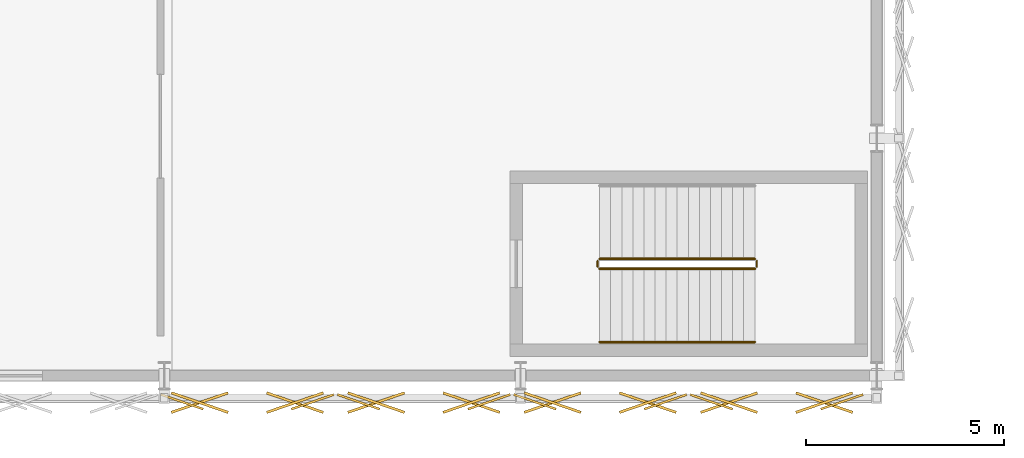
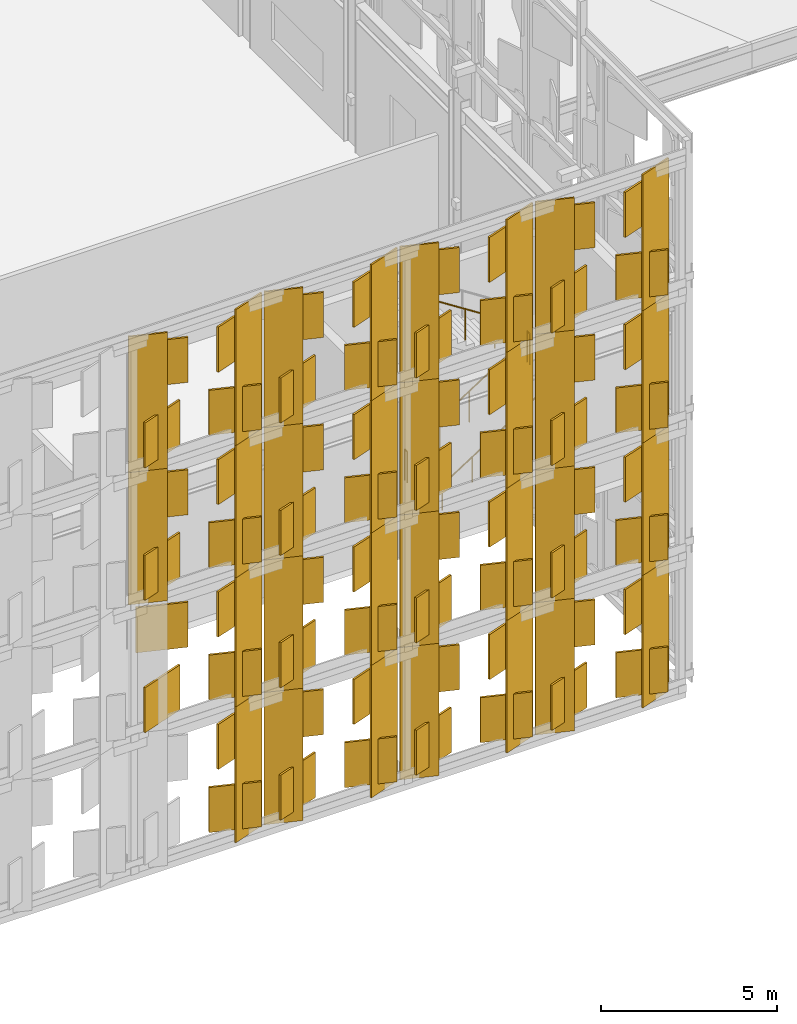
# One storey, part 219 of 239: 92 coverings, 5 railings.
"""IFC4 building model written with IfcOpenShell, lengths in metres."""

from ifc_helpers import new_model, si_unit, direction, frame, origin, origin_2d, place, context, subcontext, project, spatial, rectangle, circle, extrude, material, layer, layer_set, type_object, element, save


model = new_model("IFC4")

# Units and contexts
model_context = context("Model", 3, precision=1e-05, world=origin(), true_north=direction((0.0, 1.0)))
body_context = subcontext(model_context, "Body", "Model", "MODEL_VIEW")
ifc_project = project(units=[si_unit("LENGTHUNIT", "METRE"), si_unit("AREAUNIT", "SQUARE_METRE"), si_unit("VOLUMEUNIT", "CUBIC_METRE"), si_unit("PLANEANGLEUNIT", "RADIAN"), si_unit("MASSUNIT", "GRAM", prefix="KILO")], contexts=[model_context])

# Site, building, storey
site_placement = place(None, origin())
site = spatial("IfcSite", under=ifc_project, at=site_placement, CompositionType="ELEMENT")
building_placement = place(site_placement, origin())
building = spatial("IfcBuilding", under=site, at=building_placement, Name="Kaldris Quays Convention Centre", CompositionType="ELEMENT")
storey_placement = place(building_placement, frame((0.0, 0.0, 11.39990234375)))
storey = spatial("IfcBuildingStorey", under=building, at=storey_placement, Name="L02", CompositionType="ELEMENT", Elevation=11.39990234375)

# Railings
ifc_material_1 = material(Name="Steel S355J2", Category="steel")
railing_type_1 = type_object("IfcRailingType", Name="INTERIOR GUARDRAIL GR01", PredefinedType="GUARDRAIL", material=ifc_material_1)
railing_1_placement = place(storey_placement, frame((76.0, 18.699951171875, 0.18017578125)))
element("IfcRailing", 1, at=railing_1_placement, inside=storey, type_object=railing_type_1, Name="L02 ST06 Stair Guardrail 1", PredefinedType="GUARDRAIL", context=body_context, shape_type="SweptSolid", body=[
    extrude(circle(Radius=0.02392578125, at=origin_2d()), frame((0.0, 0.0, 1.076171875), z_axis=(0.841171666519, 0.0, 0.540768182723), x_axis=(0.0, 1.0, 0.0)), (0.0, 0.0, 1.0), 4.66015625),
    extrude(circle(Radius=0.02099609375, at=origin_2d()), origin(), (0.0, 0.0, 1.0), 1.052001953125),
    extrude(circle(Radius=0.02099609375, at=origin_2d()), frame((0.97998046875, 0.0, 0.6298828125)), (0.0, 0.0, 1.0), 1.052001953125),
    extrude(circle(Radius=0.02099609375, at=origin_2d()), frame((1.9599609375, 0.0, 1.260009765625)), (0.0, 0.0, 1.0), 1.052001953125),
    extrude(circle(Radius=0.02099609375, at=origin_2d()), frame((2.93994140625, 0.0, 1.89013671875)), (0.0, 0.0, 1.0), 1.052001953125),
    extrude(circle(Radius=0.02099609375, at=origin_2d()), frame((3.919921875, 0.0, 2.52001953125)), (0.0, 0.0, 1.0), 1.052001953125),
])
railing_2_placement = place(storey_placement, frame((79.969970703125, 18.75, 2.7001953125)))
element("IfcRailing", 2, at=railing_2_placement, inside=storey, type_object=railing_type_1, Name="L02 ST06 Stair Guardrail 2", PredefinedType="GUARDRAIL", context=body_context, shape_type="SweptSolid", body=[
    extrude(circle(Radius=0.02392578125, at=origin_2d()), frame((0.0, 0.0, 1.076171875), z_axis=(0.0, 1.0, 0.0), x_axis=(-1.0, 0.0, 0.0)), (0.0, 0.0, 1.0), 0.14990234375),
    extrude(circle(Radius=0.02099609375, at=origin_2d()), origin(), (0.0, 0.0, 1.0), 1.052001953125),
    extrude(circle(Radius=0.02099609375, at=origin_2d()), frame((0.0, 0.14990234375, 0.0)), (0.0, 0.0, 1.0), 1.052001953125),
])
railing_3_placement = place(storey_placement, frame((79.919921875, 18.949951171875, 2.880126953125)))
element("IfcRailing", 3, at=railing_3_placement, inside=storey, type_object=railing_type_1, Name="L02 ST06 Stair Guardrail 3", PredefinedType="GUARDRAIL", context=body_context, shape_type="SweptSolid", body=[
    extrude(circle(Radius=0.02392578125, at=origin_2d()), frame((0.0, 0.0, 1.076171875), z_axis=(-0.841171666519, 0.0, 0.540768182723), x_axis=(0.0, -1.0, 0.0)), (0.0, 0.0, 1.0), 4.66015625),
    extrude(circle(Radius=0.02099609375, at=origin_2d()), origin(), (0.0, 0.0, 1.0), 1.052001953125),
    extrude(circle(Radius=0.02099609375, at=origin_2d()), frame((-0.97998046875, 0.0, 0.6298828125)), (0.0, 0.0, 1.0), 1.052001953125),
    extrude(circle(Radius=0.02099609375, at=origin_2d()), frame((-1.9599609375, 0.0, 1.260009765625)), (0.0, 0.0, 1.0), 1.052001953125),
    extrude(circle(Radius=0.02099609375, at=origin_2d()), frame((-2.93994140625, 0.0, 1.89013671875)), (0.0, 0.0, 1.0), 1.052001953125),
    extrude(circle(Radius=0.02099609375, at=origin_2d()), frame((-3.919921875, 0.0, 2.52001953125)), (0.0, 0.0, 1.0), 1.052001953125),
])
railing_4_placement = place(storey_placement, frame((75.949951171875, 18.75, 0.0)))
element("IfcRailing", 4, at=railing_4_placement, inside=storey, type_object=railing_type_1, Name="L02 ST06 Stair Guardrail 4", PredefinedType="GUARDRAIL", context=body_context, shape_type="SweptSolid", body=[
    extrude(circle(Radius=0.02392578125, at=origin_2d()), frame((0.0, 0.0, 1.076171875), z_axis=(0.0, 1.0, 0.0), x_axis=(-1.0, 0.0, 0.0)), (0.0, 0.0, 1.0), 0.14990234375),
    extrude(circle(Radius=0.02099609375, at=origin_2d()), origin(), (0.0, 0.0, 1.0), 1.052001953125),
    extrude(circle(Radius=0.02099609375, at=origin_2d()), frame((0.0, 0.14990234375, 0.0)), (0.0, 0.0, 1.0), 1.052001953125),
])
ifc_material_2 = material(Name="Stainless steel 1.4301", Category="steel")
railing_type_2 = type_object("IfcRailingType", Name="STAIR HANDRAIL HR01", PredefinedType="HANDRAIL", material=ifc_material_2)
railing_5_placement = place(storey_placement, frame((76.0, 16.85009765625, 0.18017578125)))
element("IfcRailing", 5, at=railing_5_placement, inside=storey, type_object=railing_type_2, Name="L02 ST06 Flight Handrail 1", PredefinedType="HANDRAIL", context=body_context, shape_type="SweptSolid", body=[
    extrude(circle(Radius=0.02392578125, at=origin_2d()), frame((0.0, 0.0, 0.8759765625), z_axis=(0.841171666519, 0.0, 0.540768182723), x_axis=(0.0, 1.0, 0.0)), (0.0, 0.0, 1.0), 4.66015625),
    extrude(circle(Radius=0.02099609375, at=origin_2d()), origin(), (0.0, 0.0, 1.0), 0.851806640625),
    extrude(circle(Radius=0.02099609375, at=origin_2d()), frame((0.97998046875, 0.0, 0.6298828125)), (0.0, 0.0, 1.0), 0.851806640625),
    extrude(circle(Radius=0.02099609375, at=origin_2d()), frame((1.9599609375, 0.0, 1.260009765625)), (0.0, 0.0, 1.0), 0.851806640625),
    extrude(circle(Radius=0.02099609375, at=origin_2d()), frame((2.93994140625, 0.0, 1.89013671875)), (0.0, 0.0, 1.0), 0.851806640625),
    extrude(circle(Radius=0.02099609375, at=origin_2d()), frame((3.919921875, 0.0, 2.52001953125)), (0.0, 0.0, 1.0), 0.851806640625),
])

# Coverings
ifc_material_3 = material(Name="Alabaster white star-pierced anodized aluminium panel", Category="aluminium")
ifc_layer = layer(ifc_material_3, 0.044921875)
ifc_layer_set = layer_set([ifc_layer], Name="Alabaster white star-pierced anodized aluminium panel")
covering_type = type_object("IfcCoveringType", Name="STAR PIERCED WHITE FOLDED SCREEN CL01", PredefinedType="CLADDING", material=ifc_layer_set)
covering_1_placement = place(storey_placement, frame((68.7490234375, 15.340087890625, -7.60986328125), z_axis=(0.0, 0.0, 1.0), x_axis=(0.945518575599, 0.325568154457, 0.0)))
element("IfcCovering", 6, at=covering_1_placement, inside=storey, type_object=covering_type, Name="V3S Folded White Screen Stile 2960", PredefinedType="CLADDING", context=body_context, shape_type="SweptSolid", body=[
    extrude(rectangle(XDim=1.131103515625, YDim=0.054931640625, at=origin_2d()), origin(), (0.0, 0.0, 1.0), 4.719970703125),
])
for number, where, z_axis, x_axis, name in (
    (7, (68.303466796875, 15.320068359375, -7.27392578125), (0.0, 0.0, 1.0), (0.945518575599, -0.325568154457, 0.0), "V3S Carved Star Corner Facet 2963"),
    (8, (68.303466796875, 15.320068359375, -4.789794921875), (0.0, 0.0, 1.0), (0.945518575599, 0.325568154457, 0.0), "V3S Carved Star Corner Facet 2964"),
):
    element("IfcCovering", number, at=place(storey_placement, frame(where, z_axis=z_axis, x_axis=x_axis)), inside=storey, type_object=covering_type, Name=name, PredefinedType="CLADDING", context=body_context, shape_type="SweptSolid", body=[
        extrude(rectangle(XDim=1.514892578125, YDim=0.06494140625, at=origin_2d()), origin(), (0.0, 0.0, 1.0), 1.56396484375),
    ])
covering_2_placement = place(storey_placement, frame((68.7490234375, 15.340087890625, -3.009765625), z_axis=(0.0, 0.0, 1.0), x_axis=(0.945518575599, 0.325568154457, 0.0)))
element("IfcCovering", 9, at=covering_2_placement, inside=storey, type_object=covering_type, Name="V3S Folded White Screen Stile 2966", PredefinedType="CLADDING", context=body_context, shape_type="SweptSolid", body=[
    extrude(rectangle(XDim=1.131103515625, YDim=0.054931640625, at=origin_2d()), origin(), (0.0, 0.0, 1.0), 4.719970703125),
])
for number, where, z_axis, x_axis, name in (
    (10, (65.896484375, 15.320068359375, -2.673828125), (0.0, 0.0, 1.0), (0.945518575599, 0.325568154457, 0.0), "V3S Carved Star Corner Facet 2967"),
    (11, (65.896484375, 15.320068359375, -0.18994140625), (0.0, 0.0, 1.0), (0.945518575599, -0.325568154457, 0.0), "V3S Carved Star Corner Facet 2968"),
    (12, (68.303466796875, 15.320068359375, -2.673828125), (0.0, 0.0, 1.0), (0.945518575599, -0.325568154457, 0.0), "V3S Carved Star Corner Facet 2969"),
    (13, (68.303466796875, 15.320068359375, -0.18994140625), (0.0, 0.0, 1.0), (0.945518575599, 0.325568154457, 0.0), "V3S Carved Star Corner Facet 2970"),
):
    element("IfcCovering", number, at=place(storey_placement, frame(where, z_axis=z_axis, x_axis=x_axis)), inside=storey, type_object=covering_type, Name=name, PredefinedType="CLADDING", context=body_context, shape_type="SweptSolid", body=[
        extrude(rectangle(XDim=1.514892578125, YDim=0.06494140625, at=origin_2d()), origin(), (0.0, 0.0, 1.0), 1.56396484375),
    ])
for number, where, z_axis, x_axis, name in (
    (14, (65.450927734375, 15.340087890625, 1.59033203125), (0.0, 0.0, 1.0), (0.945518575599, -0.325568154457, 0.0), "V3S Folded White Screen Stile 2971"),
    (15, (68.7490234375, 15.340087890625, 1.59033203125), (0.0, 0.0, 1.0), (0.945518575599, 0.325568154457, 0.0), "V3S Folded White Screen Stile 2972"),
):
    element("IfcCovering", number, at=place(storey_placement, frame(where, z_axis=z_axis, x_axis=x_axis)), inside=storey, type_object=covering_type, Name=name, PredefinedType="CLADDING", context=body_context, shape_type="SweptSolid", body=[
        extrude(rectangle(XDim=1.131103515625, YDim=0.054931640625, at=origin_2d()), origin(), (0.0, 0.0, 1.0), 4.719970703125),
    ])
for number, where, z_axis, x_axis, name in (
    (16, (65.896484375, 15.320068359375, 1.926025390625), (0.0, 0.0, 1.0), (0.945518575599, 0.325568154457, 0.0), "V3S Carved Star Corner Facet 2973"),
    (17, (65.896484375, 15.320068359375, 4.41015625), (0.0, 0.0, 1.0), (0.945518575599, -0.325568154457, 0.0), "V3S Carved Star Corner Facet 2974"),
    (18, (68.303466796875, 15.320068359375, 1.926025390625), (0.0, 0.0, 1.0), (0.945518575599, -0.325568154457, 0.0), "V3S Carved Star Corner Facet 2975"),
    (19, (68.303466796875, 15.320068359375, 4.41015625), (0.0, 0.0, 1.0), (0.945518575599, 0.325568154457, 0.0), "V3S Carved Star Corner Facet 2976"),
):
    element("IfcCovering", number, at=place(storey_placement, frame(where, z_axis=z_axis, x_axis=x_axis)), inside=storey, type_object=covering_type, Name=name, PredefinedType="CLADDING", context=body_context, shape_type="SweptSolid", body=[
        extrude(rectangle(XDim=1.514892578125, YDim=0.06494140625, at=origin_2d()), origin(), (0.0, 0.0, 1.0), 1.56396484375),
    ])
for number, where, z_axis, x_axis, name in (
    (20, (65.450927734375, 15.340087890625, 6.18994140625), (0.0, 0.0, 1.0), (0.945518575599, -0.325568154457, 0.0), "V3S Folded White Screen Stile 2977"),
    (21, (68.7490234375, 15.340087890625, 6.18994140625), (0.0, 0.0, 1.0), (0.945518575599, 0.325568154457, 0.0), "V3S Folded White Screen Stile 2978"),
):
    element("IfcCovering", number, at=place(storey_placement, frame(where, z_axis=z_axis, x_axis=x_axis)), inside=storey, type_object=covering_type, Name=name, PredefinedType="CLADDING", context=body_context, shape_type="SweptSolid", body=[
        extrude(rectangle(XDim=1.131103515625, YDim=0.054931640625, at=origin_2d()), origin(), (0.0, 0.0, 1.0), 4.719970703125),
    ])
for number, where, z_axis, x_axis, name in (
    (22, (65.896484375, 15.320068359375, 6.526123046875), (0.0, 0.0, 1.0), (0.945518575599, 0.325568154457, 0.0), "V3S Carved Star Corner Facet 2979"),
    (23, (65.896484375, 15.320068359375, 9.010009765625), (0.0, 0.0, 1.0), (0.945518575599, -0.325568154457, 0.0), "V3S Carved Star Corner Facet 2980"),
    (24, (68.303466796875, 15.320068359375, 6.526123046875), (0.0, 0.0, 1.0), (0.945518575599, -0.325568154457, 0.0), "V3S Carved Star Corner Facet 2981"),
    (25, (68.303466796875, 15.320068359375, 9.010009765625), (0.0, 0.0, 1.0), (0.945518575599, 0.325568154457, 0.0), "V3S Carved Star Corner Facet 2982"),
):
    element("IfcCovering", number, at=place(storey_placement, frame(where, z_axis=z_axis, x_axis=x_axis)), inside=storey, type_object=covering_type, Name=name, PredefinedType="CLADDING", context=body_context, shape_type="SweptSolid", body=[
        extrude(rectangle(XDim=1.514892578125, YDim=0.06494140625, at=origin_2d()), origin(), (0.0, 0.0, 1.0), 1.56396484375),
    ])
for number, where, z_axis, x_axis, name in (
    (26, (69.907958984375, 15.340087890625, -7.60986328125), (0.0, 0.0, 1.0), (0.945518575599, -0.325568154457, 0.0), "V3S Folded White Screen Stile 2983"),
    (27, (73.206298828125, 15.340087890625, -7.60986328125), (0.0, 0.0, 1.0), (0.945518575599, 0.325568154457, 0.0), "V3S Folded White Screen Stile 2984"),
):
    element("IfcCovering", number, at=place(storey_placement, frame(where, z_axis=z_axis, x_axis=x_axis)), inside=storey, type_object=covering_type, Name=name, PredefinedType="CLADDING", context=body_context, shape_type="SweptSolid", body=[
        extrude(rectangle(XDim=1.131103515625, YDim=0.054931640625, at=origin_2d()), origin(), (0.0, 0.0, 1.0), 4.719970703125),
    ])
for number, where, z_axis, x_axis, name in (
    (28, (70.353759765625, 15.320068359375, -7.27392578125), (0.0, 0.0, 1.0), (0.945518575599, 0.325568154457, 0.0), "V3S Carved Star Corner Facet 2985"),
    (29, (70.353759765625, 15.320068359375, -4.789794921875), (0.0, 0.0, 1.0), (0.945518575599, -0.325568154457, 0.0), "V3S Carved Star Corner Facet 2986"),
    (30, (72.760498046875, 15.320068359375, -7.27392578125), (0.0, 0.0, 1.0), (0.945518575599, -0.325568154457, 0.0), "V3S Carved Star Corner Facet 2987"),
    (31, (72.760498046875, 15.320068359375, -4.789794921875), (0.0, 0.0, 1.0), (0.945518575599, 0.325568154457, 0.0), "V3S Carved Star Corner Facet 2988"),
):
    element("IfcCovering", number, at=place(storey_placement, frame(where, z_axis=z_axis, x_axis=x_axis)), inside=storey, type_object=covering_type, Name=name, PredefinedType="CLADDING", context=body_context, shape_type="SweptSolid", body=[
        extrude(rectangle(XDim=1.514892578125, YDim=0.06494140625, at=origin_2d()), origin(), (0.0, 0.0, 1.0), 1.56396484375),
    ])
for number, where, z_axis, x_axis, name in (
    (32, (69.907958984375, 15.340087890625, -3.009765625), (0.0, 0.0, 1.0), (0.945518575599, -0.325568154457, 0.0), "V3S Folded White Screen Stile 2989"),
    (33, (73.206298828125, 15.340087890625, -3.009765625), (0.0, 0.0, 1.0), (0.945518575599, 0.325568154457, 0.0), "V3S Folded White Screen Stile 2990"),
):
    element("IfcCovering", number, at=place(storey_placement, frame(where, z_axis=z_axis, x_axis=x_axis)), inside=storey, type_object=covering_type, Name=name, PredefinedType="CLADDING", context=body_context, shape_type="SweptSolid", body=[
        extrude(rectangle(XDim=1.131103515625, YDim=0.054931640625, at=origin_2d()), origin(), (0.0, 0.0, 1.0), 4.719970703125),
    ])
for number, where, z_axis, x_axis, name in (
    (34, (70.353759765625, 15.320068359375, -2.673828125), (0.0, 0.0, 1.0), (0.945518575599, 0.325568154457, 0.0), "V3S Carved Star Corner Facet 2991"),
    (35, (70.353759765625, 15.320068359375, -0.18994140625), (0.0, 0.0, 1.0), (0.945518575599, -0.325568154457, 0.0), "V3S Carved Star Corner Facet 2992"),
    (36, (72.760498046875, 15.320068359375, -2.673828125), (0.0, 0.0, 1.0), (0.945518575599, -0.325568154457, 0.0), "V3S Carved Star Corner Facet 2993"),
    (37, (72.760498046875, 15.320068359375, -0.18994140625), (0.0, 0.0, 1.0), (0.945518575599, 0.325568154457, 0.0), "V3S Carved Star Corner Facet 2994"),
):
    element("IfcCovering", number, at=place(storey_placement, frame(where, z_axis=z_axis, x_axis=x_axis)), inside=storey, type_object=covering_type, Name=name, PredefinedType="CLADDING", context=body_context, shape_type="SweptSolid", body=[
        extrude(rectangle(XDim=1.514892578125, YDim=0.06494140625, at=origin_2d()), origin(), (0.0, 0.0, 1.0), 1.56396484375),
    ])
for number, where, z_axis, x_axis, name in (
    (38, (69.907958984375, 15.340087890625, 1.59033203125), (0.0, 0.0, 1.0), (0.945518575599, -0.325568154457, 0.0), "V3S Folded White Screen Stile 2995"),
    (39, (73.206298828125, 15.340087890625, 1.59033203125), (0.0, 0.0, 1.0), (0.945518575599, 0.325568154457, 0.0), "V3S Folded White Screen Stile 2996"),
):
    element("IfcCovering", number, at=place(storey_placement, frame(where, z_axis=z_axis, x_axis=x_axis)), inside=storey, type_object=covering_type, Name=name, PredefinedType="CLADDING", context=body_context, shape_type="SweptSolid", body=[
        extrude(rectangle(XDim=1.131103515625, YDim=0.054931640625, at=origin_2d()), origin(), (0.0, 0.0, 1.0), 4.719970703125),
    ])
for number, where, z_axis, x_axis, name in (
    (40, (70.353759765625, 15.320068359375, 1.926025390625), (0.0, 0.0, 1.0), (0.945518575599, 0.325568154457, 0.0), "V3S Carved Star Corner Facet 2997"),
    (41, (70.353759765625, 15.320068359375, 4.41015625), (0.0, 0.0, 1.0), (0.945518575599, -0.325568154457, 0.0), "V3S Carved Star Corner Facet 2998"),
    (42, (72.760498046875, 15.320068359375, 1.926025390625), (0.0, 0.0, 1.0), (0.945518575599, -0.325568154457, 0.0), "V3S Carved Star Corner Facet 2999"),
    (43, (72.760498046875, 15.320068359375, 4.41015625), (0.0, 0.0, 1.0), (0.945518575599, 0.325568154457, 0.0), "V3S Carved Star Corner Facet 3000"),
):
    element("IfcCovering", number, at=place(storey_placement, frame(where, z_axis=z_axis, x_axis=x_axis)), inside=storey, type_object=covering_type, Name=name, PredefinedType="CLADDING", context=body_context, shape_type="SweptSolid", body=[
        extrude(rectangle(XDim=1.514892578125, YDim=0.06494140625, at=origin_2d()), origin(), (0.0, 0.0, 1.0), 1.56396484375),
    ])
for number, where, z_axis, x_axis, name in (
    (44, (69.907958984375, 15.340087890625, 6.18994140625), (0.0, 0.0, 1.0), (0.945518575599, -0.325568154457, 0.0), "V3S Folded White Screen Stile 3001"),
    (45, (73.206298828125, 15.340087890625, 6.18994140625), (0.0, 0.0, 1.0), (0.945518575599, 0.325568154457, 0.0), "V3S Folded White Screen Stile 3002"),
):
    element("IfcCovering", number, at=place(storey_placement, frame(where, z_axis=z_axis, x_axis=x_axis)), inside=storey, type_object=covering_type, Name=name, PredefinedType="CLADDING", context=body_context, shape_type="SweptSolid", body=[
        extrude(rectangle(XDim=1.131103515625, YDim=0.054931640625, at=origin_2d()), origin(), (0.0, 0.0, 1.0), 4.719970703125),
    ])
for number, where, z_axis, x_axis, name in (
    (46, (70.353759765625, 15.320068359375, 6.526123046875), (0.0, 0.0, 1.0), (0.945518575599, 0.325568154457, 0.0), "V3S Carved Star Corner Facet 3003"),
    (47, (70.353759765625, 15.320068359375, 9.010009765625), (0.0, 0.0, 1.0), (0.945518575599, -0.325568154457, 0.0), "V3S Carved Star Corner Facet 3004"),
    (48, (72.760498046875, 15.320068359375, 6.526123046875), (0.0, 0.0, 1.0), (0.945518575599, -0.325568154457, 0.0), "V3S Carved Star Corner Facet 3005"),
    (49, (72.760498046875, 15.320068359375, 9.010009765625), (0.0, 0.0, 1.0), (0.945518575599, 0.325568154457, 0.0), "V3S Carved Star Corner Facet 3006"),
):
    element("IfcCovering", number, at=place(storey_placement, frame(where, z_axis=z_axis, x_axis=x_axis)), inside=storey, type_object=covering_type, Name=name, PredefinedType="CLADDING", context=body_context, shape_type="SweptSolid", body=[
        extrude(rectangle(XDim=1.514892578125, YDim=0.06494140625, at=origin_2d()), origin(), (0.0, 0.0, 1.0), 1.56396484375),
    ])
for number, where, z_axis, x_axis, name in (
    (50, (74.364990234375, 15.340087890625, -7.60986328125), (0.0, 0.0, 1.0), (0.945518575599, -0.325568154457, 0.0), "V3S Folded White Screen Stile 3007"),
    (51, (77.663330078125, 15.340087890625, -7.60986328125), (0.0, 0.0, 1.0), (0.945518575599, 0.325568154457, 0.0), "V3S Folded White Screen Stile 3008"),
):
    element("IfcCovering", number, at=place(storey_placement, frame(where, z_axis=z_axis, x_axis=x_axis)), inside=storey, type_object=covering_type, Name=name, PredefinedType="CLADDING", context=body_context, shape_type="SweptSolid", body=[
        extrude(rectangle(XDim=1.131103515625, YDim=0.054931640625, at=origin_2d()), origin(), (0.0, 0.0, 1.0), 4.719970703125),
    ])
for number, where, z_axis, x_axis, name in (
    (52, (74.810791015625, 15.320068359375, -7.27392578125), (0.0, 0.0, 1.0), (0.945518575599, 0.325568154457, 0.0), "V3S Carved Star Corner Facet 3009"),
    (53, (74.810791015625, 15.320068359375, -4.789794921875), (0.0, 0.0, 1.0), (0.945518575599, -0.325568154457, 0.0), "V3S Carved Star Corner Facet 3010"),
    (54, (77.2177734375, 15.320068359375, -7.27392578125), (0.0, 0.0, 1.0), (0.945518575599, -0.325568154457, 0.0), "V3S Carved Star Corner Facet 3011"),
    (55, (77.2177734375, 15.320068359375, -4.789794921875), (0.0, 0.0, 1.0), (0.945518575599, 0.325568154457, 0.0), "V3S Carved Star Corner Facet 3012"),
):
    element("IfcCovering", number, at=place(storey_placement, frame(where, z_axis=z_axis, x_axis=x_axis)), inside=storey, type_object=covering_type, Name=name, PredefinedType="CLADDING", context=body_context, shape_type="SweptSolid", body=[
        extrude(rectangle(XDim=1.514892578125, YDim=0.06494140625, at=origin_2d()), origin(), (0.0, 0.0, 1.0), 1.56396484375),
    ])
for number, where, z_axis, x_axis, name in (
    (56, (74.364990234375, 15.340087890625, -3.009765625), (0.0, 0.0, 1.0), (0.945518575599, -0.325568154457, 0.0), "V3S Folded White Screen Stile 3013"),
    (57, (77.663330078125, 15.340087890625, -3.009765625), (0.0, 0.0, 1.0), (0.945518575599, 0.325568154457, 0.0), "V3S Folded White Screen Stile 3014"),
):
    element("IfcCovering", number, at=place(storey_placement, frame(where, z_axis=z_axis, x_axis=x_axis)), inside=storey, type_object=covering_type, Name=name, PredefinedType="CLADDING", context=body_context, shape_type="SweptSolid", body=[
        extrude(rectangle(XDim=1.131103515625, YDim=0.054931640625, at=origin_2d()), origin(), (0.0, 0.0, 1.0), 4.719970703125),
    ])
for number, where, z_axis, x_axis, name in (
    (58, (74.810791015625, 15.320068359375, -2.673828125), (0.0, 0.0, 1.0), (0.945518575599, 0.325568154457, 0.0), "V3S Carved Star Corner Facet 3015"),
    (59, (74.810791015625, 15.320068359375, -0.18994140625), (0.0, 0.0, 1.0), (0.945518575599, -0.325568154457, 0.0), "V3S Carved Star Corner Facet 3016"),
    (60, (77.2177734375, 15.320068359375, -2.673828125), (0.0, 0.0, 1.0), (0.945518575599, -0.325568154457, 0.0), "V3S Carved Star Corner Facet 3017"),
    (61, (77.2177734375, 15.320068359375, -0.18994140625), (0.0, 0.0, 1.0), (0.945518575599, 0.325568154457, 0.0), "V3S Carved Star Corner Facet 3018"),
):
    element("IfcCovering", number, at=place(storey_placement, frame(where, z_axis=z_axis, x_axis=x_axis)), inside=storey, type_object=covering_type, Name=name, PredefinedType="CLADDING", context=body_context, shape_type="SweptSolid", body=[
        extrude(rectangle(XDim=1.514892578125, YDim=0.06494140625, at=origin_2d()), origin(), (0.0, 0.0, 1.0), 1.56396484375),
    ])
for number, where, z_axis, x_axis, name in (
    (62, (74.364990234375, 15.340087890625, 1.59033203125), (0.0, 0.0, 1.0), (0.945518575599, -0.325568154457, 0.0), "V3S Folded White Screen Stile 3019"),
    (63, (77.663330078125, 15.340087890625, 1.59033203125), (0.0, 0.0, 1.0), (0.945518575599, 0.325568154457, 0.0), "V3S Folded White Screen Stile 3020"),
):
    element("IfcCovering", number, at=place(storey_placement, frame(where, z_axis=z_axis, x_axis=x_axis)), inside=storey, type_object=covering_type, Name=name, PredefinedType="CLADDING", context=body_context, shape_type="SweptSolid", body=[
        extrude(rectangle(XDim=1.131103515625, YDim=0.054931640625, at=origin_2d()), origin(), (0.0, 0.0, 1.0), 4.719970703125),
    ])
for number, where, z_axis, x_axis, name in (
    (64, (74.810791015625, 15.320068359375, 1.926025390625), (0.0, 0.0, 1.0), (0.945518575599, 0.325568154457, 0.0), "V3S Carved Star Corner Facet 3021"),
    (65, (74.810791015625, 15.320068359375, 4.41015625), (0.0, 0.0, 1.0), (0.945518575599, -0.325568154457, 0.0), "V3S Carved Star Corner Facet 3022"),
    (66, (77.2177734375, 15.320068359375, 1.926025390625), (0.0, 0.0, 1.0), (0.945518575599, -0.325568154457, 0.0), "V3S Carved Star Corner Facet 3023"),
    (67, (77.2177734375, 15.320068359375, 4.41015625), (0.0, 0.0, 1.0), (0.945518575599, 0.325568154457, 0.0), "V3S Carved Star Corner Facet 3024"),
):
    element("IfcCovering", number, at=place(storey_placement, frame(where, z_axis=z_axis, x_axis=x_axis)), inside=storey, type_object=covering_type, Name=name, PredefinedType="CLADDING", context=body_context, shape_type="SweptSolid", body=[
        extrude(rectangle(XDim=1.514892578125, YDim=0.06494140625, at=origin_2d()), origin(), (0.0, 0.0, 1.0), 1.56396484375),
    ])
for number, where, z_axis, x_axis, name in (
    (68, (74.364990234375, 15.340087890625, 6.18994140625), (0.0, 0.0, 1.0), (0.945518575599, -0.325568154457, 0.0), "V3S Folded White Screen Stile 3025"),
    (69, (77.663330078125, 15.340087890625, 6.18994140625), (0.0, 0.0, 1.0), (0.945518575599, 0.325568154457, 0.0), "V3S Folded White Screen Stile 3026"),
):
    element("IfcCovering", number, at=place(storey_placement, frame(where, z_axis=z_axis, x_axis=x_axis)), inside=storey, type_object=covering_type, Name=name, PredefinedType="CLADDING", context=body_context, shape_type="SweptSolid", body=[
        extrude(rectangle(XDim=1.131103515625, YDim=0.054931640625, at=origin_2d()), origin(), (0.0, 0.0, 1.0), 4.719970703125),
    ])
for number, where, z_axis, x_axis, name in (
    (70, (74.810791015625, 15.320068359375, 6.526123046875), (0.0, 0.0, 1.0), (0.945518575599, 0.325568154457, 0.0), "V3S Carved Star Corner Facet 3027"),
    (71, (74.810791015625, 15.320068359375, 9.010009765625), (0.0, 0.0, 1.0), (0.945518575599, -0.325568154457, 0.0), "V3S Carved Star Corner Facet 3028"),
    (72, (77.2177734375, 15.320068359375, 6.526123046875), (0.0, 0.0, 1.0), (0.945518575599, -0.325568154457, 0.0), "V3S Carved Star Corner Facet 3029"),
    (73, (77.2177734375, 15.320068359375, 9.010009765625), (0.0, 0.0, 1.0), (0.945518575599, 0.325568154457, 0.0), "V3S Carved Star Corner Facet 3030"),
):
    element("IfcCovering", number, at=place(storey_placement, frame(where, z_axis=z_axis, x_axis=x_axis)), inside=storey, type_object=covering_type, Name=name, PredefinedType="CLADDING", context=body_context, shape_type="SweptSolid", body=[
        extrude(rectangle(XDim=1.514892578125, YDim=0.06494140625, at=origin_2d()), origin(), (0.0, 0.0, 1.0), 1.56396484375),
    ])
for number, where, z_axis, x_axis, name in (
    (74, (78.822265625, 15.340087890625, -7.60986328125), (0.0, 0.0, 1.0), (0.945518575599, -0.325568154457, 0.0), "V3S Folded White Screen Stile 3031"),
    (75, (82.12060546875, 15.340087890625, -7.60986328125), (0.0, 0.0, 1.0), (0.945518575599, 0.325568154457, 0.0), "V3S Folded White Screen Stile 3032"),
):
    element("IfcCovering", number, at=place(storey_placement, frame(where, z_axis=z_axis, x_axis=x_axis)), inside=storey, type_object=covering_type, Name=name, PredefinedType="CLADDING", context=body_context, shape_type="SweptSolid", body=[
        extrude(rectangle(XDim=1.131103515625, YDim=0.054931640625, at=origin_2d()), origin(), (0.0, 0.0, 1.0), 4.719970703125),
    ])
for number, where, z_axis, x_axis, name in (
    (76, (79.26806640625, 15.320068359375, -7.27392578125), (0.0, 0.0, 1.0), (0.945518575599, 0.325568154457, 0.0), "V3S Carved Star Corner Facet 3033"),
    (77, (79.26806640625, 15.320068359375, -4.789794921875), (0.0, 0.0, 1.0), (0.945518575599, -0.325568154457, 0.0), "V3S Carved Star Corner Facet 3034"),
    (78, (81.6748046875, 15.320068359375, -7.27392578125), (0.0, 0.0, 1.0), (0.945518575599, -0.325568154457, 0.0), "V3S Carved Star Corner Facet 3035"),
    (79, (81.6748046875, 15.320068359375, -4.789794921875), (0.0, 0.0, 1.0), (0.945518575599, 0.325568154457, 0.0), "V3S Carved Star Corner Facet 3036"),
):
    element("IfcCovering", number, at=place(storey_placement, frame(where, z_axis=z_axis, x_axis=x_axis)), inside=storey, type_object=covering_type, Name=name, PredefinedType="CLADDING", context=body_context, shape_type="SweptSolid", body=[
        extrude(rectangle(XDim=1.514892578125, YDim=0.06494140625, at=origin_2d()), origin(), (0.0, 0.0, 1.0), 1.56396484375),
    ])
for number, where, z_axis, x_axis, name in (
    (80, (78.822265625, 15.340087890625, -3.009765625), (0.0, 0.0, 1.0), (0.945518575599, -0.325568154457, 0.0), "V3S Folded White Screen Stile 3037"),
    (81, (82.12060546875, 15.340087890625, -3.009765625), (0.0, 0.0, 1.0), (0.945518575599, 0.325568154457, 0.0), "V3S Folded White Screen Stile 3038"),
):
    element("IfcCovering", number, at=place(storey_placement, frame(where, z_axis=z_axis, x_axis=x_axis)), inside=storey, type_object=covering_type, Name=name, PredefinedType="CLADDING", context=body_context, shape_type="SweptSolid", body=[
        extrude(rectangle(XDim=1.131103515625, YDim=0.054931640625, at=origin_2d()), origin(), (0.0, 0.0, 1.0), 4.719970703125),
    ])
for number, where, z_axis, x_axis, name in (
    (82, (79.26806640625, 15.320068359375, -2.673828125), (0.0, 0.0, 1.0), (0.945518575599, 0.325568154457, 0.0), "V3S Carved Star Corner Facet 3039"),
    (83, (79.26806640625, 15.320068359375, -0.18994140625), (0.0, 0.0, 1.0), (0.945518575599, -0.325568154457, 0.0), "V3S Carved Star Corner Facet 3040"),
    (84, (81.6748046875, 15.320068359375, -2.673828125), (0.0, 0.0, 1.0), (0.945518575599, -0.325568154457, 0.0), "V3S Carved Star Corner Facet 3041"),
    (85, (81.6748046875, 15.320068359375, -0.18994140625), (0.0, 0.0, 1.0), (0.945518575599, 0.325568154457, 0.0), "V3S Carved Star Corner Facet 3042"),
):
    element("IfcCovering", number, at=place(storey_placement, frame(where, z_axis=z_axis, x_axis=x_axis)), inside=storey, type_object=covering_type, Name=name, PredefinedType="CLADDING", context=body_context, shape_type="SweptSolid", body=[
        extrude(rectangle(XDim=1.514892578125, YDim=0.06494140625, at=origin_2d()), origin(), (0.0, 0.0, 1.0), 1.56396484375),
    ])
for number, where, z_axis, x_axis, name in (
    (86, (78.822265625, 15.340087890625, 1.59033203125), (0.0, 0.0, 1.0), (0.945518575599, -0.325568154457, 0.0), "V3S Folded White Screen Stile 3043"),
    (87, (82.12060546875, 15.340087890625, 1.59033203125), (0.0, 0.0, 1.0), (0.945518575599, 0.325568154457, 0.0), "V3S Folded White Screen Stile 3044"),
):
    element("IfcCovering", number, at=place(storey_placement, frame(where, z_axis=z_axis, x_axis=x_axis)), inside=storey, type_object=covering_type, Name=name, PredefinedType="CLADDING", context=body_context, shape_type="SweptSolid", body=[
        extrude(rectangle(XDim=1.131103515625, YDim=0.054931640625, at=origin_2d()), origin(), (0.0, 0.0, 1.0), 4.719970703125),
    ])
for number, where, z_axis, x_axis, name in (
    (88, (79.26806640625, 15.320068359375, 1.926025390625), (0.0, 0.0, 1.0), (0.945518575599, 0.325568154457, 0.0), "V3S Carved Star Corner Facet 3045"),
    (89, (79.26806640625, 15.320068359375, 4.41015625), (0.0, 0.0, 1.0), (0.945518575599, -0.325568154457, 0.0), "V3S Carved Star Corner Facet 3046"),
    (90, (81.6748046875, 15.320068359375, 1.926025390625), (0.0, 0.0, 1.0), (0.945518575599, -0.325568154457, 0.0), "V3S Carved Star Corner Facet 3047"),
    (91, (81.6748046875, 15.320068359375, 4.41015625), (0.0, 0.0, 1.0), (0.945518575599, 0.325568154457, 0.0), "V3S Carved Star Corner Facet 3048"),
):
    element("IfcCovering", number, at=place(storey_placement, frame(where, z_axis=z_axis, x_axis=x_axis)), inside=storey, type_object=covering_type, Name=name, PredefinedType="CLADDING", context=body_context, shape_type="SweptSolid", body=[
        extrude(rectangle(XDim=1.514892578125, YDim=0.06494140625, at=origin_2d()), origin(), (0.0, 0.0, 1.0), 1.56396484375),
    ])
for number, where, z_axis, x_axis, name in (
    (92, (78.822265625, 15.340087890625, 6.18994140625), (0.0, 0.0, 1.0), (0.945518575599, -0.325568154457, 0.0), "V3S Folded White Screen Stile 3049"),
    (93, (82.12060546875, 15.340087890625, 6.18994140625), (0.0, 0.0, 1.0), (0.945518575599, 0.325568154457, 0.0), "V3S Folded White Screen Stile 3050"),
):
    element("IfcCovering", number, at=place(storey_placement, frame(where, z_axis=z_axis, x_axis=x_axis)), inside=storey, type_object=covering_type, Name=name, PredefinedType="CLADDING", context=body_context, shape_type="SweptSolid", body=[
        extrude(rectangle(XDim=1.131103515625, YDim=0.054931640625, at=origin_2d()), origin(), (0.0, 0.0, 1.0), 4.719970703125),
    ])
for number, where, z_axis, x_axis, name in (
    (94, (79.26806640625, 15.320068359375, 6.526123046875), (0.0, 0.0, 1.0), (0.945518575599, 0.325568154457, 0.0), "V3S Carved Star Corner Facet 3051"),
    (95, (79.26806640625, 15.320068359375, 9.010009765625), (0.0, 0.0, 1.0), (0.945518575599, -0.325568154457, 0.0), "V3S Carved Star Corner Facet 3052"),
    (96, (81.6748046875, 15.320068359375, 6.526123046875), (0.0, 0.0, 1.0), (0.945518575599, -0.325568154457, 0.0), "V3S Carved Star Corner Facet 3053"),
    (97, (81.6748046875, 15.320068359375, 9.010009765625), (0.0, 0.0, 1.0), (0.945518575599, 0.325568154457, 0.0), "V3S Carved Star Corner Facet 3054"),
):
    element("IfcCovering", number, at=place(storey_placement, frame(where, z_axis=z_axis, x_axis=x_axis)), inside=storey, type_object=covering_type, Name=name, PredefinedType="CLADDING", context=body_context, shape_type="SweptSolid", body=[
        extrude(rectangle(XDim=1.514892578125, YDim=0.06494140625, at=origin_2d()), origin(), (0.0, 0.0, 1.0), 1.56396484375),
    ])

save(model, "model.ifc")
